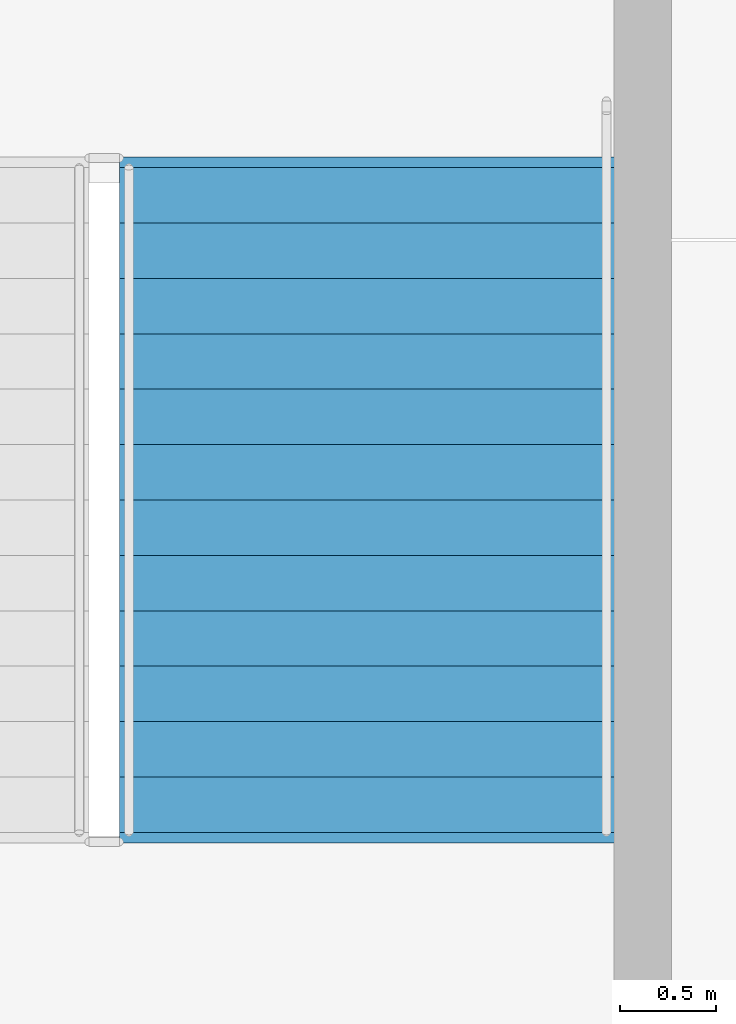
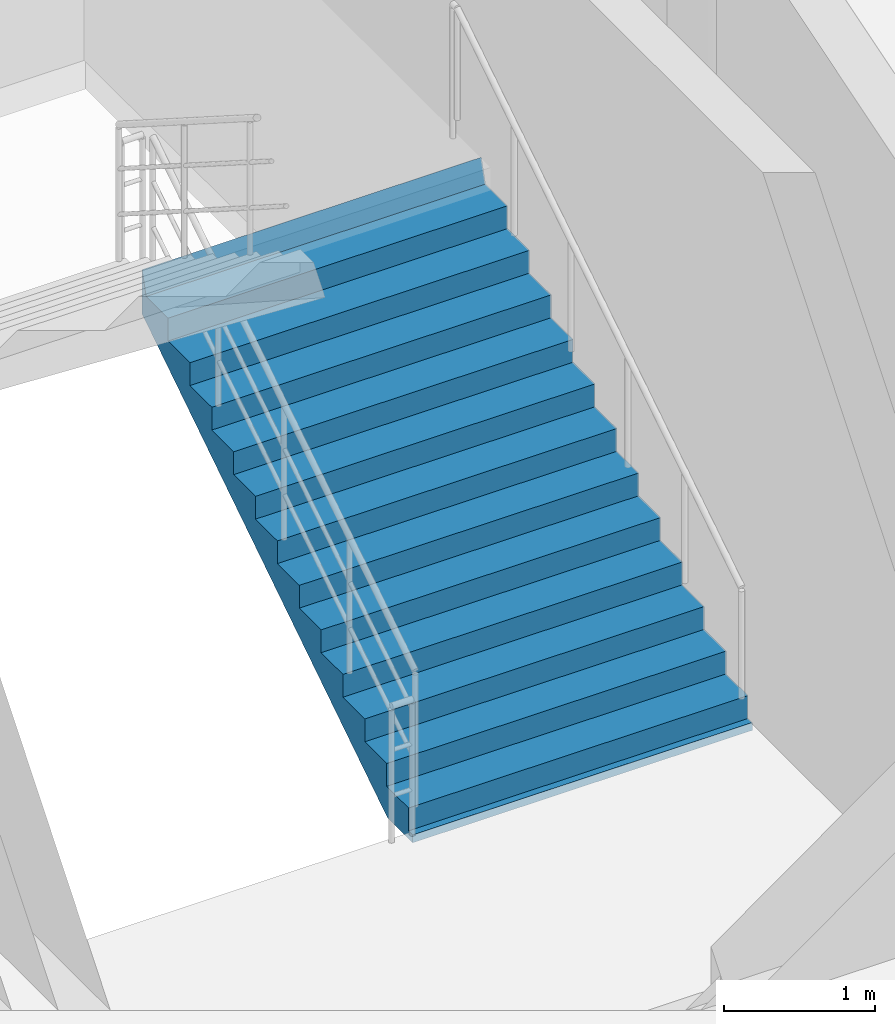
# One storey, part 123 of 144: 1 stair flight, 1 element without a shape of its own.
"""IFC4 building model written with IfcOpenShell, lengths in metres."""

from ifc_helpers import new_model, si_unit, direction, frame, origin, place, context, subcontext, project, spatial, polyline, outline, extrude, material, type_object, element, aggregate, save


model = new_model("IFC4")

# Units and contexts
model_context = context("Model", 3, precision=1e-05, world=origin(), true_north=direction((0.0, 1.0)))
body_context = subcontext(model_context, "Body", "Model", "MODEL_VIEW")
ifc_project = project(units=[si_unit("LENGTHUNIT", "METRE"), si_unit("AREAUNIT", "SQUARE_METRE"), si_unit("VOLUMEUNIT", "CUBIC_METRE"), si_unit("PLANEANGLEUNIT", "RADIAN"), si_unit("MASSUNIT", "GRAM", prefix="KILO")], contexts=[model_context])

# Site, building, storey
site_placement = place(None, origin())
site = spatial("IfcSite", under=ifc_project, at=site_placement, CompositionType="ELEMENT")
building_placement = place(site_placement, origin())
building = spatial("IfcBuilding", under=site, at=building_placement, Name="Cinderbank Siding Concert Hall", CompositionType="ELEMENT")
storey_placement = place(building_placement, frame((0.0, 0.0, 5.39990234375)))
storey = spatial("IfcBuildingStorey", under=building, at=storey_placement, Name="L02", CompositionType="ELEMENT", Elevation=5.39990234375)

# Stair, stair flight
ifc_material = material(Name="Reinforced concrete AS 3600 N50 (50 MPa)", Category="concrete")
stair_type = type_object("IfcStairType", Name="STR-B Dogleg Exit Stair 2600mm", PredefinedType="HALF_TURN_STAIR", material=ifc_material)
stair_placement = place(storey_placement, origin())
stair = element("IfcStair", 1, at=stair_placement, inside=storey, type_object=stair_type, Name="L02 Fire-isolated Exit Stair ST-03", PredefinedType="HALF_TURN_STAIR")
stair_flight_type = type_object("IfcStairFlightType", Name="SFL-B Concrete Stair Flight 2600mm", PredefinedType="STRAIGHT", material=ifc_material)
stair_flight_placement = place(storey_placement, frame((145.89990234375, 40.89990234375, 0.0), z_axis=(0.0, 0.0, 1.0), x_axis=(0.0, 1.0, 0.0)))
stair_flight = element("IfcStairFlight", 2, at=stair_flight_placement, type_object=stair_flight_type, Name="ST-03 flight 1", NumberOfRisers=13, NumberOfTreads=12, PredefinedType="STRAIGHT", RiserHeight=0.184615385, TreadLength=0.29, context=body_context, shape_type="SweptSolid", body=[
    extrude(outline(polyline([(0.0, 0.0), (0.0, 0.1845703125), (0.2900390625, 0.1845703125), (0.2900390625, 0.369140625), (0.580078125, 0.369140625), (0.580078125, 0.553955078125), (0.8701171875, 0.553955078125), (0.8701171875, 0.738525390625), (1.159912109375, 0.738525390625), (1.159912109375, 0.923095703125), (1.449951171875, 0.923095703125), (1.449951171875, 1.107666015625), (1.739990234375, 1.107666015625), (1.739990234375, 1.292236328125), (2.030029296875, 1.292236328125), (2.030029296875, 1.476806640625), (2.320068359375, 1.476806640625), (2.320068359375, 1.66162109375), (2.610107421875, 1.66162109375), (2.610107421875, 1.84619140625), (2.89990234375, 1.84619140625), (2.89990234375, 2.03076171875), (3.18994140625, 2.03076171875), (3.18994140625, 2.21533203125), (3.47998046875, 2.21533203125), (3.534912109375, 2.39990234375), (3.534912109375, 2.03759765625), (3.53466796875, 2.037841796875), (3.53466796875, 2.0380859375), (3.53466796875, 2.038330078125), (3.53466796875, 2.03857421875), (3.53466796875, 2.038818359375), (3.53466796875, 2.0390625), (3.53466796875, 2.039306640625), (3.53466796875, 2.03955078125), (3.53466796875, 2.039794921875), (3.53466796875, 2.0400390625), (3.53466796875, 2.040283203125), (3.53466796875, 2.04052734375), (3.534423828125, 2.04052734375), (3.534423828125, 2.040283203125), (3.534423828125, 2.0400390625), (3.534423828125, 2.039794921875), (3.534423828125, 2.03955078125), (3.534423828125, 2.039306640625), (3.534423828125, 2.0390625), (3.534423828125, 2.038818359375), (3.534423828125, 2.03857421875), (3.534423828125, 2.038330078125), (3.534423828125, 2.0380859375), (3.534423828125, 2.037841796875), (3.534423828125, 2.03759765625), (3.5341796875, 2.037841796875), (3.5341796875, 2.0380859375), (3.5341796875, 2.038330078125), (3.5341796875, 2.03857421875), (3.5341796875, 2.038818359375), (3.5341796875, 2.0390625), (3.5341796875, 2.039306640625), (3.5341796875, 2.03955078125), (3.5341796875, 2.039794921875), (3.5341796875, 2.0400390625), (3.5341796875, 2.040283203125), (3.5341796875, 2.04052734375), (3.533935546875, 2.04052734375), (3.533935546875, 2.040283203125), (3.533935546875, 2.0400390625), (3.533935546875, 2.039794921875), (3.533935546875, 2.03955078125), (3.533935546875, 2.039306640625), (3.533935546875, 2.0390625), (3.533935546875, 2.038818359375), (3.533935546875, 2.03857421875), (3.533935546875, 2.038330078125), (3.533935546875, 2.0380859375), (3.533935546875, 2.037841796875), (3.533935546875, 2.03759765625), (3.53369140625, 2.037841796875), (3.53369140625, 2.0380859375), (3.53369140625, 2.038330078125), (3.53369140625, 2.03857421875), (3.53369140625, 2.038818359375), (3.53369140625, 2.0390625), (3.53369140625, 2.039306640625), (3.53369140625, 2.03955078125), (3.53369140625, 2.039794921875), (3.53369140625, 2.0400390625), (3.53369140625, 2.040283203125), (3.53369140625, 2.04052734375), (3.533447265625, 2.04052734375), (3.533447265625, 2.040283203125), (3.533447265625, 2.0400390625), (3.533447265625, 2.039794921875), (3.533447265625, 2.03955078125), (3.533447265625, 2.039306640625), (3.533447265625, 2.0390625), (3.533447265625, 2.038818359375), (3.533447265625, 2.03857421875), (3.533447265625, 2.038330078125), (3.533447265625, 2.0380859375), (3.533447265625, 2.037841796875), (3.533447265625, 2.03759765625), (3.533203125, 2.037841796875), (3.533203125, 2.0380859375), (3.533203125, 2.038330078125), (3.533203125, 2.03857421875), (3.533203125, 2.038818359375), (3.533203125, 2.0390625), (3.533203125, 2.039306640625), (3.533203125, 2.03955078125), (3.533203125, 2.039794921875), (3.533203125, 2.0400390625), (3.533203125, 2.040283203125), (3.533203125, 2.04052734375), (3.532958984375, 2.04052734375), (3.532958984375, 2.040283203125), (3.532958984375, 2.0400390625), (3.532958984375, 2.039794921875), (3.532958984375, 2.03955078125), (3.532958984375, 2.039306640625), (3.532958984375, 2.0390625), (3.532958984375, 2.038818359375), (3.532958984375, 2.03857421875), (3.532958984375, 2.038330078125), (3.532958984375, 2.0380859375), (3.532958984375, 2.037841796875), (3.532958984375, 2.03759765625), (3.53271484375, 2.037841796875), (3.53271484375, 2.0380859375), (3.53271484375, 2.038330078125), (3.53271484375, 2.03857421875), (3.53271484375, 2.038818359375), (3.53271484375, 2.0390625), (3.53271484375, 2.039306640625), (3.53271484375, 2.03955078125), (3.53271484375, 2.039794921875), (3.53271484375, 2.0400390625), (3.53271484375, 2.040283203125), (3.53271484375, 2.04052734375), (3.532470703125, 2.04052734375), (3.532470703125, 2.040283203125), (3.532470703125, 2.0400390625), (3.532470703125, 2.039794921875), (3.532470703125, 2.03955078125), (3.532470703125, 2.039306640625), (3.532470703125, 2.0390625), (3.532470703125, 2.038818359375), (3.532470703125, 2.03857421875), (3.532470703125, 2.038330078125), (3.532470703125, 2.0380859375), (3.532470703125, 2.037841796875), (3.532470703125, 2.03759765625), (3.5322265625, 2.037841796875), (3.5322265625, 2.0380859375), (3.5322265625, 2.038330078125), (3.5322265625, 2.03857421875), (3.5322265625, 2.038818359375), (3.5322265625, 2.0390625), (3.5322265625, 2.039306640625), (3.5322265625, 2.03955078125), (3.5322265625, 2.039794921875), (3.5322265625, 2.0400390625), (3.5322265625, 2.040283203125), (3.5322265625, 2.04052734375), (3.531982421875, 2.04052734375), (3.531982421875, 2.040283203125), (3.531982421875, 2.0400390625), (3.531982421875, 2.039794921875), (3.531982421875, 2.03955078125), (3.531982421875, 2.039306640625), (3.531982421875, 2.0390625), (3.531982421875, 2.038818359375), (3.531982421875, 2.03857421875), (3.531982421875, 2.038330078125), (3.531982421875, 2.0380859375), (3.531982421875, 2.037841796875), (3.531982421875, 2.03759765625), (3.53173828125, 2.037841796875), (3.53173828125, 2.0380859375), (3.53173828125, 2.038330078125), (3.53173828125, 2.03857421875), (3.53173828125, 2.038818359375), (3.53173828125, 2.0390625), (3.53173828125, 2.039306640625), (3.53173828125, 2.03955078125), (3.53173828125, 2.039794921875), (3.53173828125, 2.0400390625), (3.53173828125, 2.040283203125), (3.53173828125, 2.04052734375), (3.531494140625, 2.04052734375), (3.531494140625, 2.040283203125), (3.531494140625, 2.0400390625), (3.531494140625, 2.039794921875), (3.531494140625, 2.03955078125), (3.531494140625, 2.039306640625), (3.531494140625, 2.0390625), (3.531494140625, 2.038818359375), (3.531494140625, 2.03857421875), (3.531494140625, 2.038330078125), (3.531494140625, 2.0380859375), (3.531494140625, 2.037841796875), (3.531494140625, 2.03759765625), (3.53125, 2.037841796875), (3.53125, 2.0380859375), (3.53125, 2.038330078125), (3.53125, 2.03857421875), (3.53125, 2.038818359375), (3.53125, 2.0390625), (3.53125, 2.039306640625), (3.53125, 2.03955078125), (3.53125, 2.039794921875), (3.53125, 2.0400390625), (3.53125, 2.040283203125), (3.53125, 2.04052734375), (3.531005859375, 2.04052734375), (3.531005859375, 2.040283203125), (3.531005859375, 2.0400390625), (3.531005859375, 2.039794921875), (3.531005859375, 2.03955078125), (3.531005859375, 2.039306640625), (3.531005859375, 2.0390625), (3.531005859375, 2.038818359375), (3.531005859375, 2.03857421875), (3.531005859375, 2.038330078125), (3.531005859375, 2.0380859375), (3.531005859375, 2.037841796875), (3.531005859375, 2.03759765625), (3.53076171875, 2.037841796875), (3.53076171875, 2.0380859375), (3.53076171875, 2.038330078125), (3.53076171875, 2.03857421875), (3.53076171875, 2.038818359375), (3.53076171875, 2.0390625), (3.53076171875, 2.039306640625), (3.53076171875, 2.03955078125), (3.53076171875, 2.039794921875), (3.53076171875, 2.0400390625), (3.53076171875, 2.040283203125), (3.53076171875, 2.04052734375), (3.530517578125, 2.04052734375), (3.530517578125, 2.040283203125), (3.530517578125, 2.0400390625), (3.530517578125, 2.039794921875), (3.530517578125, 2.03955078125), (3.530517578125, 2.039306640625), (3.530517578125, 2.0390625), (3.530517578125, 2.038818359375), (3.530517578125, 2.03857421875), (3.530517578125, 2.038330078125), (3.530517578125, 2.0380859375), (3.530517578125, 2.037841796875), (3.530517578125, 2.03759765625), (3.5302734375, 2.037841796875), (3.5302734375, 2.0380859375), (3.5302734375, 2.038330078125), (3.5302734375, 2.03857421875), (3.5302734375, 2.038818359375), (3.5302734375, 2.0390625), (3.5302734375, 2.039306640625), (3.5302734375, 2.03955078125), (3.5302734375, 2.039794921875), (3.5302734375, 2.0400390625), (3.5302734375, 2.040283203125), (3.5302734375, 2.04052734375), (3.530029296875, 2.04052734375), (3.530029296875, 2.040283203125), (3.530029296875, 2.0400390625), (3.530029296875, 2.039794921875), (3.530029296875, 2.03955078125), (3.530029296875, 2.039306640625), (3.530029296875, 2.0390625), (3.530029296875, 2.038818359375), (3.530029296875, 2.03857421875), (3.530029296875, 2.038330078125), (3.530029296875, 2.0380859375), (3.530029296875, 2.037841796875), (3.530029296875, 2.03759765625), (3.52978515625, 2.037841796875), (3.52978515625, 2.0380859375), (3.52978515625, 2.038330078125), (3.52978515625, 2.03857421875), (3.52978515625, 2.038818359375), (3.52978515625, 2.0390625), (3.52978515625, 2.039306640625), (3.52978515625, 2.03955078125), (3.52978515625, 2.039794921875), (3.52978515625, 2.0400390625), (3.52978515625, 2.040283203125), (3.52978515625, 2.04052734375), (3.529541015625, 2.04052734375), (3.529541015625, 2.040283203125), (3.529541015625, 2.0400390625), (3.529541015625, 2.039794921875), (3.529541015625, 2.03955078125), (3.529541015625, 2.039306640625), (3.529541015625, 2.0390625), (3.529541015625, 2.038818359375), (3.529541015625, 2.03857421875), (3.529541015625, 2.038330078125), (3.529541015625, 2.0380859375), (3.529541015625, 2.037841796875), (3.529541015625, 2.03759765625), (3.529296875, 2.037841796875), (3.529296875, 2.0380859375), (3.529296875, 2.038330078125), (3.529296875, 2.03857421875), (3.529296875, 2.038818359375), (3.529296875, 2.0390625), (3.529296875, 2.039306640625), (3.529296875, 2.03955078125), (3.529296875, 2.039794921875), (3.529296875, 2.0400390625), (3.529296875, 2.040283203125), (3.529296875, 2.04052734375), (3.529052734375, 2.04052734375), (3.529052734375, 2.040283203125), (3.529052734375, 2.0400390625), (3.529052734375, 2.039794921875), (3.529052734375, 2.03955078125), (3.529052734375, 2.039306640625), (3.529052734375, 2.0390625), (3.529052734375, 2.038818359375), (3.529052734375, 2.03857421875), (3.529052734375, 2.038330078125), (3.529052734375, 2.0380859375), (3.529052734375, 2.037841796875), (3.529052734375, 2.03759765625), (3.52880859375, 2.037841796875), (3.52880859375, 2.0380859375), (3.52880859375, 2.038330078125), (3.52880859375, 2.03857421875), (3.52880859375, 2.038818359375), (3.52880859375, 2.0390625), (3.52880859375, 2.039306640625), (3.52880859375, 2.03955078125), (3.52880859375, 2.039794921875), (3.52880859375, 2.0400390625), (3.52880859375, 2.040283203125), (3.52880859375, 2.04052734375), (3.528564453125, 2.04052734375), (3.528564453125, 2.040283203125), (3.528564453125, 2.0400390625), (3.528564453125, 2.039794921875), (3.528564453125, 2.03955078125), (3.528564453125, 2.039306640625), (3.528564453125, 2.0390625), (3.528564453125, 2.038818359375), (3.528564453125, 2.03857421875), (3.528564453125, 2.038330078125), (3.528564453125, 2.0380859375), (3.528564453125, 2.037841796875), (3.528564453125, 2.03759765625), (0.279052734375, -0.06396484375), (-0.048583984375, -0.063720703125), (-0.048583984375, -0.0634765625), (-0.048583984375, -0.063232421875), (-0.048583984375, -0.06298828125), (-0.048583984375, -0.062744140625), (-0.048583984375, -0.0625), (-0.048583984375, -0.062255859375), (-0.048583984375, -0.06201171875), (-0.048583984375, -0.061767578125), (-0.048583984375, -0.0615234375), (-0.048583984375, -0.061279296875), (-0.048583984375, -0.06103515625), (-0.048828125, -0.06103515625), (-0.048828125, -0.061279296875), (-0.048828125, -0.0615234375), (-0.048828125, -0.061767578125), (-0.048828125, -0.06201171875), (-0.048828125, -0.062255859375), (-0.048828125, -0.0625), (-0.048828125, -0.062744140625), (-0.048828125, -0.06298828125), (-0.048828125, -0.063232421875), (-0.048828125, -0.0634765625), (-0.048828125, -0.063720703125), (-0.048828125, -0.06396484375), (-0.049072265625, -0.063720703125), (-0.049072265625, -0.0634765625), (-0.049072265625, -0.063232421875), (-0.049072265625, -0.06298828125), (-0.049072265625, -0.062744140625), (-0.049072265625, -0.0625), (-0.049072265625, -0.062255859375), (-0.049072265625, -0.06201171875), (-0.049072265625, -0.061767578125), (-0.049072265625, -0.0615234375), (-0.049072265625, -0.061279296875), (-0.049072265625, -0.06103515625), (-0.04931640625, -0.06103515625), (-0.04931640625, -0.061279296875), (-0.04931640625, -0.0615234375), (-0.04931640625, -0.061767578125), (-0.04931640625, -0.06201171875), (-0.04931640625, -0.062255859375), (-0.04931640625, -0.0625), (-0.04931640625, -0.062744140625), (-0.04931640625, -0.06298828125), (-0.04931640625, -0.063232421875), (-0.04931640625, -0.0634765625), (-0.04931640625, -0.063720703125), (-0.04931640625, -0.06396484375), (-0.049560546875, -0.063720703125), (-0.049560546875, -0.0634765625), (-0.049560546875, -0.063232421875), (-0.049560546875, -0.06298828125), (-0.049560546875, -0.062744140625), (-0.049560546875, -0.0625), (-0.049560546875, -0.062255859375), (-0.049560546875, -0.06201171875), (-0.049560546875, -0.061767578125), (-0.049560546875, -0.0615234375), (-0.049560546875, -0.061279296875), (-0.049560546875, -0.06103515625), (-0.0498046875, -0.06103515625), (-0.0498046875, -0.061279296875), (-0.0498046875, -0.0615234375), (-0.0498046875, -0.061767578125), (-0.0498046875, -0.06201171875), (-0.0498046875, -0.062255859375), (-0.0498046875, -0.0625), (-0.0498046875, -0.062744140625), (-0.0498046875, -0.06298828125), (-0.0498046875, -0.063232421875), (-0.0498046875, -0.0634765625), (-0.0498046875, -0.063720703125), (-0.0498046875, -0.06396484375), (-0.050048828125, -0.063720703125), (-0.050048828125, -0.0634765625), (-0.050048828125, -0.063232421875), (-0.050048828125, -0.06298828125), (-0.050048828125, -0.062744140625), (-0.050048828125, -0.0625), (-0.050048828125, -0.062255859375), (-0.050048828125, -0.06201171875), (-0.050048828125, -0.061767578125), (-0.050048828125, -0.0615234375), (-0.050048828125, -0.061279296875), (-0.050048828125, -0.06103515625), (-0.05029296875, -0.06103515625), (-0.05029296875, -0.061279296875), (-0.05029296875, -0.0615234375), (-0.05029296875, -0.061767578125), (-0.05029296875, -0.06201171875), (-0.05029296875, -0.062255859375), (-0.05029296875, -0.0625), (-0.05029296875, -0.062744140625), (-0.05029296875, -0.06298828125), (-0.05029296875, -0.063232421875), (-0.05029296875, -0.0634765625), (-0.05029296875, -0.063720703125), (-0.05029296875, -0.06396484375), (-0.050537109375, -0.063720703125), (-0.050537109375, -0.0634765625), (-0.050537109375, -0.063232421875), (-0.050537109375, -0.06298828125), (-0.050537109375, -0.062744140625), (-0.050537109375, -0.0625), (-0.050537109375, -0.062255859375), (-0.050537109375, -0.06201171875), (-0.050537109375, -0.061767578125), (-0.050537109375, -0.0615234375), (-0.050537109375, -0.061279296875), (-0.050537109375, -0.06103515625), (-0.05078125, -0.06103515625), (-0.05078125, -0.061279296875), (-0.05078125, -0.0615234375), (-0.05078125, -0.061767578125), (-0.05078125, -0.06201171875), (-0.05078125, -0.062255859375), (-0.05078125, -0.0625), (-0.05078125, -0.062744140625), (-0.05078125, -0.06298828125), (-0.05078125, -0.063232421875), (-0.05078125, -0.0634765625), (-0.05078125, -0.063720703125), (-0.05078125, -0.06396484375), (-0.051025390625, -0.063720703125), (-0.051025390625, -0.0634765625), (-0.051025390625, -0.063232421875), (-0.051025390625, -0.06298828125), (-0.051025390625, -0.062744140625), (-0.051025390625, -0.0625), (-0.051025390625, -0.062255859375), (-0.051025390625, -0.06201171875), (-0.051025390625, -0.061767578125), (-0.051025390625, -0.0615234375), (-0.051025390625, -0.061279296875), (-0.051025390625, -0.06103515625), (-0.05126953125, -0.06103515625), (-0.05126953125, -0.061279296875), (-0.05126953125, -0.0615234375), (-0.05126953125, -0.061767578125), (-0.05126953125, -0.06201171875), (-0.05126953125, -0.062255859375), (-0.05126953125, -0.0625), (-0.05126953125, -0.062744140625), (-0.05126953125, -0.06298828125), (-0.05126953125, -0.063232421875), (-0.05126953125, -0.0634765625), (-0.05126953125, -0.063720703125), (-0.05126953125, -0.06396484375), (-0.051513671875, -0.063720703125), (-0.051513671875, -0.0634765625), (-0.051513671875, -0.063232421875), (-0.051513671875, -0.06298828125), (-0.051513671875, -0.062744140625), (-0.051513671875, -0.0625), (-0.051513671875, -0.062255859375), (-0.051513671875, -0.06201171875), (-0.051513671875, -0.061767578125), (-0.051513671875, -0.0615234375), (-0.051513671875, -0.061279296875), (-0.051513671875, -0.06103515625), (-0.0517578125, -0.06103515625), (-0.0517578125, -0.061279296875), (-0.0517578125, -0.0615234375), (-0.0517578125, -0.061767578125), (-0.0517578125, -0.06201171875), (-0.0517578125, -0.062255859375), (-0.0517578125, -0.0625), (-0.0517578125, -0.062744140625), (-0.0517578125, -0.06298828125), (-0.0517578125, -0.063232421875), (-0.0517578125, -0.0634765625), (-0.0517578125, -0.063720703125), (-0.0517578125, -0.06396484375), (-0.052001953125, -0.063720703125), (-0.052001953125, -0.0634765625), (-0.052001953125, -0.063232421875), (-0.052001953125, -0.06298828125), (-0.052001953125, -0.062744140625), (-0.052001953125, -0.0625), (-0.052001953125, -0.062255859375), (-0.052001953125, -0.06201171875), (-0.052001953125, -0.061767578125), (-0.052001953125, -0.0615234375), (-0.052001953125, -0.061279296875), (-0.052001953125, -0.06103515625), (-0.05224609375, -0.06103515625), (-0.05224609375, -0.061279296875), (-0.05224609375, -0.0615234375), (-0.05224609375, -0.061767578125), (-0.05224609375, -0.06201171875), (-0.05224609375, -0.062255859375), (-0.05224609375, -0.0625), (-0.05224609375, -0.062744140625), (-0.05224609375, -0.06298828125), (-0.05224609375, -0.063232421875), (-0.05224609375, -0.0634765625), (-0.05224609375, -0.063720703125), (-0.05224609375, -0.06396484375), (-0.052490234375, -0.063720703125), (-0.052490234375, -0.0634765625), (-0.052490234375, -0.063232421875), (-0.052490234375, -0.06298828125), (-0.052490234375, -0.062744140625), (-0.052490234375, -0.0625), (-0.052490234375, -0.062255859375), (-0.052490234375, -0.06201171875), (-0.052490234375, -0.061767578125), (-0.052490234375, -0.0615234375), (-0.052490234375, -0.061279296875), (-0.052490234375, -0.06103515625), (-0.052734375, -0.06103515625), (-0.052734375, -0.061279296875), (-0.052734375, -0.0615234375), (-0.052734375, -0.061767578125), (-0.052734375, -0.06201171875), (-0.052734375, -0.062255859375), (-0.052734375, -0.0625), (-0.052734375, -0.062744140625), (-0.052734375, -0.06298828125), (-0.052734375, -0.063232421875), (-0.052734375, -0.0634765625), (-0.052734375, -0.063720703125), (-0.052734375, -0.06396484375), (-0.052978515625, -0.063720703125), (-0.052978515625, -0.0634765625), (-0.052978515625, -0.063232421875), (-0.052978515625, -0.06298828125), (-0.052978515625, -0.062744140625), (-0.052978515625, -0.0625), (-0.052978515625, -0.062255859375), (-0.052978515625, -0.06201171875), (-0.052978515625, -0.061767578125), (-0.052978515625, -0.0615234375), (-0.052978515625, -0.061279296875), (-0.052978515625, -0.06103515625), (-0.05322265625, -0.06103515625), (-0.05322265625, -0.061279296875), (-0.05322265625, -0.0615234375), (-0.05322265625, -0.061767578125), (-0.05322265625, -0.06201171875), (-0.05322265625, -0.062255859375), (-0.05322265625, -0.0625), (-0.05322265625, -0.062744140625), (-0.05322265625, -0.06298828125), (-0.05322265625, -0.063232421875), (-0.05322265625, -0.0634765625), (-0.05322265625, -0.063720703125), (-0.05322265625, -0.06396484375), (-0.053466796875, -0.063720703125), (-0.053466796875, -0.0634765625), (-0.053466796875, -0.063232421875), (-0.053466796875, -0.06298828125), (-0.053466796875, -0.062744140625), (-0.053466796875, -0.0625), (-0.053466796875, -0.062255859375), (-0.053466796875, -0.06201171875), (-0.053466796875, -0.061767578125), (-0.053466796875, -0.0615234375), (-0.053466796875, -0.061279296875), (-0.053466796875, -0.06103515625), (-0.0537109375, -0.06103515625), (-0.0537109375, -0.061279296875), (-0.0537109375, -0.0615234375), (-0.0537109375, -0.061767578125), (-0.0537109375, -0.06201171875), (-0.0537109375, -0.062255859375), (-0.0537109375, -0.0625), (-0.0537109375, -0.062744140625), (-0.0537109375, -0.06298828125), (-0.0537109375, -0.063232421875), (-0.0537109375, -0.0634765625), (-0.0537109375, -0.063720703125), (-0.0537109375, -0.06396484375), (-0.053955078125, -0.063720703125), (-0.053955078125, -0.0634765625), (-0.053955078125, -0.063232421875), (-0.053955078125, -0.06298828125), (-0.053955078125, -0.062744140625), (-0.053955078125, -0.0625), (-0.053955078125, -0.062255859375), (-0.053955078125, -0.06201171875), (-0.053955078125, -0.061767578125), (-0.053955078125, -0.0615234375), (-0.053955078125, -0.061279296875), (-0.053955078125, -0.06103515625), (-0.05419921875, -0.06103515625), (-0.05419921875, -0.061279296875), (-0.05419921875, -0.0615234375), (-0.05419921875, -0.061767578125), (-0.05419921875, -0.06201171875), (-0.05419921875, -0.062255859375), (-0.05419921875, -0.0625), (-0.05419921875, -0.062744140625), (-0.05419921875, -0.06298828125), (-0.05419921875, -0.063232421875), (-0.05419921875, -0.0634765625), (-0.05419921875, -0.063720703125), (-0.05419921875, -0.06396484375), (-0.054443359375, -0.063720703125), (-0.054443359375, -0.0634765625), (-0.054443359375, -0.063232421875), (-0.054443359375, -0.06298828125), (-0.054443359375, -0.062744140625), (-0.054443359375, -0.0625), (-0.054443359375, -0.062255859375), (-0.054443359375, -0.06201171875), (-0.054443359375, -0.061767578125), (-0.054443359375, -0.0615234375), (-0.054443359375, -0.061279296875), (-0.054443359375, -0.06103515625), (-0.0546875, -0.06103515625), (-0.0546875, -0.061279296875), (-0.0546875, -0.0615234375), (-0.0546875, -0.061767578125), (-0.0546875, -0.06201171875), (-0.0546875, -0.062255859375), (-0.0546875, -0.0625), (-0.0546875, -0.062744140625), (-0.0546875, -0.06298828125), (-0.0546875, -0.063232421875), (-0.0546875, -0.0634765625), (-0.0546875, -0.063720703125), (-0.0546875, -0.06396484375), (-0.054931640625, -0.06396484375), (-0.054931640625, 0.0), (0.0, 0.0)])), frame((0.0, 1.300048828125, 0.0), z_axis=(0.0, -1.0, 0.0), x_axis=(1.0, 0.0, 0.0)), (0.0, 0.0, 1.0), 2.60009765625),
])
aggregate(stair, [stair_flight])

save(model, "model.ifc")
